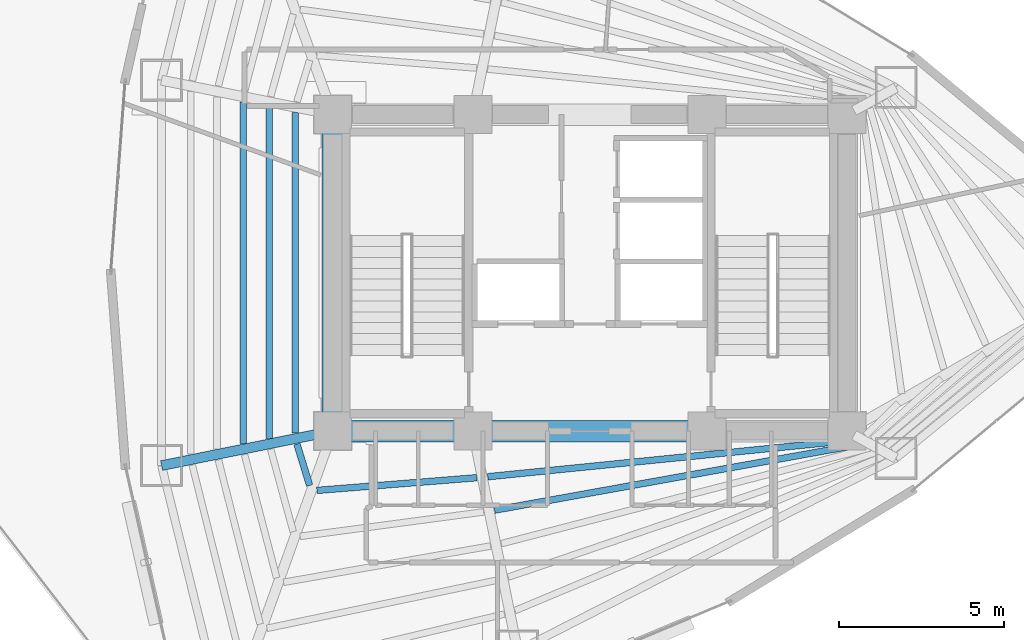
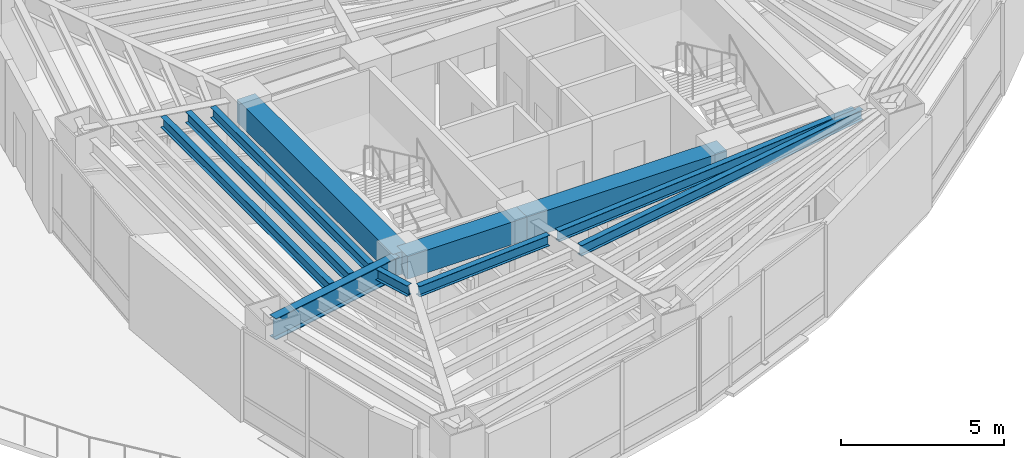
# One storey, part 6 of 19: 11 beams.
"""IFC4 building model written with IfcOpenShell, lengths in metres."""

from ifc_helpers import new_model, si_unit, direction, frame, origin, origin_2d, place, context, subcontext, project, spatial, rectangle, i_section, extrude, material, material_profile, profile_set, type_object, element, save


model = new_model("IFC4")

# Units and contexts
model_context = context("Model", 3, precision=1e-05, world=origin(), true_north=direction((0.0, 1.0)))
body_context = subcontext(model_context, "Body", "Model", "MODEL_VIEW")
ifc_project = project(units=[si_unit("LENGTHUNIT", "METRE"), si_unit("AREAUNIT", "SQUARE_METRE"), si_unit("VOLUMEUNIT", "CUBIC_METRE"), si_unit("PLANEANGLEUNIT", "RADIAN"), si_unit("MASSUNIT", "GRAM", prefix="KILO")], contexts=[model_context])

# Site, building, storey
site_placement = place(None, origin())
site = spatial("IfcSite", under=ifc_project, at=site_placement, CompositionType="ELEMENT")
building_placement = place(site_placement, origin())
building = spatial("IfcBuilding", under=site, at=building_placement, Name="Menara Vayukalpa", CompositionType="ELEMENT")
storey_placement = place(building_placement, frame((0.0, 0.0, 118.860107421875)))
storey = spatial("IfcBuildingStorey", under=building, at=storey_placement, Name="L29", CompositionType="ELEMENT", Elevation=118.860107421875)

# Beams
ifc_material_1 = material(Name="Concrete C60/75", Category="concrete")
ifc_material_profile_1 = material_profile(ifc_material_1, rectangle(XDim=0.64990234375, YDim=0.85009765625, at=origin_2d()), Name="RC 650x850")
ifc_profile_set_1 = profile_set([ifc_material_profile_1], Name="Concrete C60/75")
beam_type_1 = type_object("IfcBeamType", Name="BM-CB1", PredefinedType="BEAM", material=ifc_profile_set_1)
beam_1_placement = place(storey_placement, frame((17.800048828125, 17.199951171875, 3.044921875), z_axis=(1.0, 0.0, 0.0), x_axis=(0.0, 1.0, 0.0)))
element("IfcBeam", 1, at=beam_1_placement, inside=storey, type_object=beam_type_1, Name="L29 Core Tie Beam CBR1", PredefinedType="BEAM", context=body_context, shape_type="SweptSolid", body=[
    extrude(rectangle(XDim=0.64990234375, YDim=0.85009765625, at=origin_2d()), origin(), (0.0, 0.0, 1.0), 4.25),
])
beam_2_placement = place(storey_placement, frame((22.050048828125, 17.199951171875, 3.044921875), z_axis=(1.0, 0.0, 0.0), x_axis=(0.0, 1.0, 0.0)))
element("IfcBeam", 2, at=beam_2_placement, inside=storey, type_object=beam_type_1, Name="L29 Core Tie Beam CBR2", PredefinedType="BEAM", context=body_context, shape_type="SweptSolid", body=[
    extrude(rectangle(XDim=0.64990234375, YDim=0.85009765625, at=origin_2d()), origin(), (0.0, 0.0, 1.0), 7.099853515625),
])
beam_3_placement = place(storey_placement, frame((17.800048828125, 17.199951171875, 3.044921875), z_axis=(0.0, 1.0, 0.0), x_axis=(-1.0, 0.0, 0.0)))
element("IfcBeam", 3, at=beam_3_placement, inside=storey, type_object=beam_type_1, Name="L29 Core Tie Beam CBR7", PredefinedType="BEAM", context=body_context, shape_type="SweptSolid", body=[
    extrude(rectangle(XDim=0.64990234375, YDim=0.85009765625, at=origin_2d()), origin(), (0.0, 0.0, 1.0), 9.60009765625),
])
ifc_material_2 = material(Name="Steel S355", Category="steel")
ifc_material_profile_2 = material_profile(ifc_material_2, i_section(OverallWidth=0.300048828125, OverallDepth=0.800048828125, WebThickness=0.013916015625, FlangeThickness=0.02587890625, at=origin_2d()), Name="WF 800x300x14x26")
ifc_profile_set_2 = profile_set([ifc_material_profile_2], Name="Steel S355")
beam_type_2 = type_object("IfcBeamType", Name="BM-PG3", PredefinedType="BEAM", material=ifc_profile_set_2)
beam_4_placement = place(storey_placement, frame((17.554931640625, 17.150634765625, 3.06982421875), z_axis=(-0.980324984906, -0.197390283373, 0.0), x_axis=(0.197390283373, -0.980324984906, 0.0)))
element("IfcBeam", 4, at=beam_4_placement, inside=storey, type_object=beam_type_2, Name="L29 Primary Radial Girder RG06", PredefinedType="BEAM", context=body_context, shape_type="SweptSolid", body=[
    extrude(i_section(OverallWidth=0.300048828125, OverallDepth=0.800048828125, WebThickness=0.013916015625, FlangeThickness=0.02587890625, at=origin_2d()), origin(), (0.0, 0.0, 1.0), 5.047607421875),
])
ifc_material_3 = material(Name="Steel S355", Category="steel")
ifc_material_profile_3 = material_profile(ifc_material_3, i_section(OverallWidth=0.199951171875, OverallDepth=0.39990234375, WebThickness=0.008056640625, FlangeThickness=0.012939453125, at=origin_2d()), Name="WF 400x200x8x13")
ifc_profile_set_3 = profile_set([ifc_material_profile_3], Name="Steel S355")
beam_type_3 = type_object("IfcBeamType", Name="BM-SJ2", PredefinedType="JOIST", material=ifc_profile_set_3)
beam_5_placement = place(storey_placement, frame((16.664306640625, 26.858642578125, 3.269775390625), z_axis=(0.0, -1.0, 0.0), x_axis=(1.0, 0.0, 0.0)))
element("IfcBeam", 5, at=beam_5_placement, inside=storey, type_object=beam_type_3, Name="L29 Secondary Floor Joist SJ05-1", PredefinedType="JOIST", context=body_context, shape_type="SweptSolid", body=[
    extrude(i_section(OverallWidth=0.199951171875, OverallDepth=0.39990234375, WebThickness=0.008056640625, FlangeThickness=0.012939453125, at=origin_2d()), origin(), (0.0, 0.0, 1.0), 9.71728515625),
])
beam_6_placement = place(storey_placement, frame((15.87255859375, 27.01806640625, 3.269775390625), z_axis=(0.0, -1.0, 0.0), x_axis=(1.0, 0.0, 0.0)))
element("IfcBeam", 6, at=beam_6_placement, inside=storey, type_object=beam_type_3, Name="L29 Secondary Floor Joist SJ05-2", PredefinedType="JOIST", context=body_context, shape_type="SweptSolid", body=[
    extrude(i_section(OverallWidth=0.199951171875, OverallDepth=0.39990234375, WebThickness=0.008056640625, FlangeThickness=0.012939453125, at=origin_2d()), origin(), (0.0, 0.0, 1.0), 10.0361328125),
])
beam_7_placement = place(storey_placement, frame((15.080810546875, 27.177490234375, 3.269775390625), z_axis=(0.0, -1.0, 0.0), x_axis=(1.0, 0.0, 0.0)))
element("IfcBeam", 7, at=beam_7_placement, inside=storey, type_object=beam_type_3, Name="L29 Secondary Floor Joist SJ05-3", PredefinedType="JOIST", context=body_context, shape_type="SweptSolid", body=[
    extrude(i_section(OverallWidth=0.199951171875, OverallDepth=0.39990234375, WebThickness=0.008056640625, FlangeThickness=0.012939453125, at=origin_2d()), origin(), (0.0, 0.0, 1.0), 10.35498046875),
])
beam_8_placement = place(storey_placement, frame((16.714111328125, 16.808837890625, 3.269775390625), z_axis=(0.292651981473, -0.956219021846, 0.0), x_axis=(0.956219021846, 0.292651981473, 0.0)))
element("IfcBeam", 8, at=beam_8_placement, inside=storey, type_object=beam_type_3, Name="L29 Secondary Floor Joist SJ06-1", PredefinedType="JOIST", context=body_context, shape_type="SweptSolid", body=[
    extrude(i_section(OverallWidth=0.199951171875, OverallDepth=0.39990234375, WebThickness=0.008056640625, FlangeThickness=0.012939453125, at=origin_2d()), origin(), (0.0, 0.0, 1.0), 1.31640625),
])
beam_9_placement = place(storey_placement, frame((17.318603515625, 15.40087890625, 3.269775390625), z_axis=(0.996868534468, 0.079076703187, 0.0), x_axis=(-0.079076703187, 0.996868534468, 0.0)))
element("IfcBeam", 9, at=beam_9_placement, inside=storey, type_object=beam_type_3, Name="L29 Secondary Floor Joist SJ07-1", PredefinedType="JOIST", context=body_context, shape_type="SweptSolid", body=[
    extrude(i_section(OverallWidth=0.199951171875, OverallDepth=0.39990234375, WebThickness=0.008056640625, FlangeThickness=0.012939453125, at=origin_2d()), origin(), (0.0, 0.0, 1.0), 4.862548828125),
])
beam_10_placement = place(storey_placement, frame((22.50439453125, 15.81591796875, 3.269775390625), z_axis=(0.995012836574, 0.099746955103, 0.0), x_axis=(-0.099746955103, 0.995012836574, 0.0)))
element("IfcBeam", 10, at=beam_10_placement, inside=storey, type_object=beam_type_3, Name="L29 Secondary Floor Joist SJ08-1", PredefinedType="JOIST", context=body_context, shape_type="SweptSolid", body=[
    extrude(i_section(OverallWidth=0.199951171875, OverallDepth=0.39990234375, WebThickness=0.008056640625, FlangeThickness=0.012939453125, at=origin_2d()), origin(), (0.0, 0.0, 1.0), 11.2294921875),
])
beam_11_placement = place(storey_placement, frame((22.7119140625, 14.801513671875, 3.269775390625), z_axis=(0.984205443357, 0.177030068819, 0.0), x_axis=(-0.177030068819, 0.984205443357, 0.0)))
element("IfcBeam", 11, at=beam_11_placement, inside=storey, type_object=beam_type_3, Name="L29 Secondary Floor Joist SJ08-2", PredefinedType="JOIST", context=body_context, shape_type="SweptSolid", body=[
    extrude(i_section(OverallWidth=0.199951171875, OverallDepth=0.39990234375, WebThickness=0.008056640625, FlangeThickness=0.012939453125, at=origin_2d()), origin(), (0.0, 0.0, 1.0), 11.349853515625),
])

save(model, "model.ifc")
